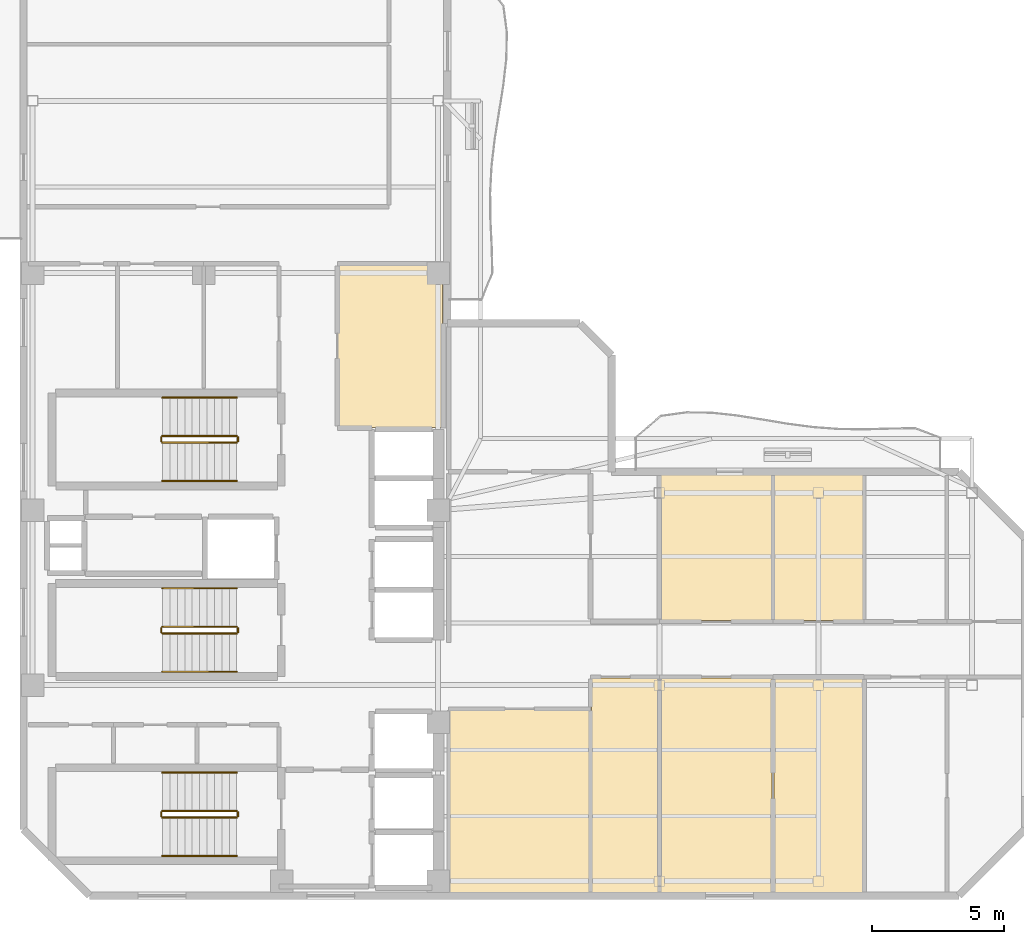
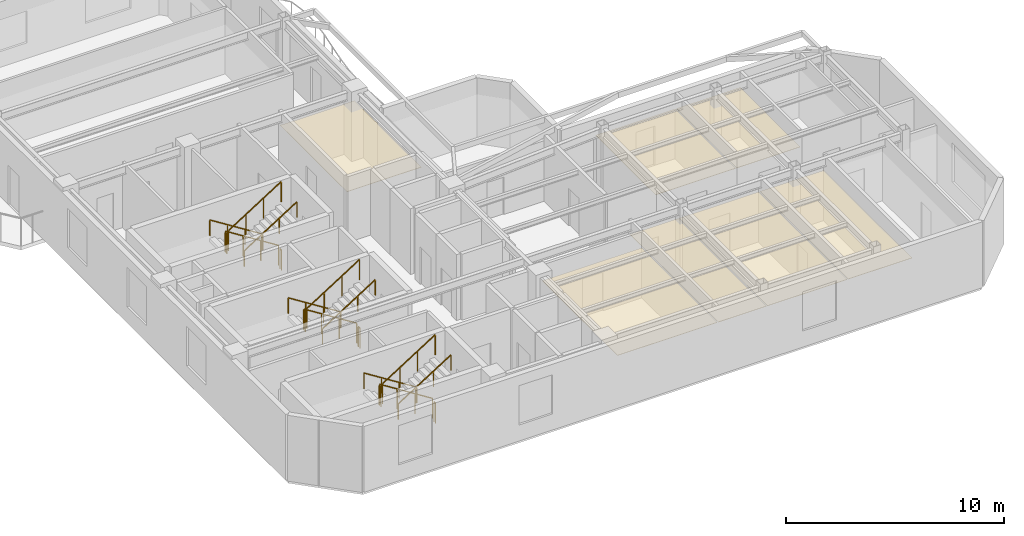
# One storey, part 6 of 7: 18 railings, 7 coverings.
"""IFC4 building model written with IfcOpenShell, lengths in metres."""

import ifcopenshell
import ifcopenshell.guid

model = None  # the IFC model being written
_history = None  # IfcOwnerHistory: only IFC2X3 demands one
_inside = {}  # id of a spatial element -> (the spatial element, [elements in it])
_under = {}  # id of a project, library or spatial element -> (it, [spatial elements below it])
_declared = {}  # id of a project -> (the project, [libraries it declares])
_typed = {}  # id of a type object -> (the type object, [elements of that type])
_made_of = {}  # id of a material, layer set ... -> (it, [elements and type objects made of it])


def new_model(schema):
    """Start an empty IFC model of exactly this schema.

    Asked for "IFC4X3", IfcOpenShell would pick the latest addendum, in which some entities
    have other attributes; the version numbers below select the first issue.
    IFC2X3 requires an IfcOwnerHistory on every rooted entity: one is made here for all.
    """
    global model, _history
    if schema == "IFC4X3":
        model = ifcopenshell.file(schema_version=(4, 3, 0, 0))
    else:
        model = ifcopenshell.file(schema=schema)
    _inside.clear()
    _under.clear()
    _declared.clear()
    _typed.clear()
    _made_of.clear()
    _history = None
    if model.schema == "IFC2X3":
        org = make("IfcOrganization", Name="unknown")
        user = make(
            "IfcPersonAndOrganization",
            ThePerson=make("IfcPerson", FamilyName="unknown"),
            TheOrganization=org,
        )
        app = make(
            "IfcApplication",
            ApplicationDeveloper=org,
            Version="unknown",
            ApplicationFullName="unknown",
            ApplicationIdentifier="unknown",
        )
        _history = make(
            "IfcOwnerHistory",
            OwningUser=user,
            OwningApplication=app,
            ChangeAction="ADDED",
            CreationDate=0,
        )
    return model


def make(cls, **values):
    """One entity of the class cls with the attributes given. An attribute that is None is left unset."""
    return model.create_entity(
        cls, **{name: value for name, value in values.items() if value is not None}
    )


def rooted(cls, **values):
    """An entity with a GlobalId (a new one), such as an element, a storey or a relation."""
    return make(cls, GlobalId=ifcopenshell.guid.new(), OwnerHistory=_history, **values)


def si_unit(unit_type, name, prefix=None):
    """IfcSIUnit, for example si_unit("LENGTHUNIT", "METRE", prefix="MILLI")."""
    return make("IfcSIUnit", UnitType=unit_type, Prefix=prefix, Name=name)


def assignment(units):
    """IfcUnitAssignment: the units of a project."""
    return None if units is None else make("IfcUnitAssignment", Units=units)


def point(xyz):
    """IfcCartesianPoint."""
    return None if xyz is None else make("IfcCartesianPoint", Coordinates=xyz)


def direction(xyz):
    """IfcDirection."""
    return None if xyz is None else make("IfcDirection", DirectionRatios=xyz)


def frame(location, z_axis=None, x_axis=None):
    """IfcAxis2Placement3D, a coordinate frame: its origin and axes. An axis left out is left unset."""
    return make(
        "IfcAxis2Placement3D",
        Location=point(location),
        Axis=direction(z_axis),
        RefDirection=direction(x_axis),
    )


def frame_2d(location, x_axis=None):
    """IfcAxis2Placement2D, a coordinate frame in the plane: its origin and x axis."""
    return make(
        "IfcAxis2Placement2D", Location=point(location), RefDirection=direction(x_axis)
    )


def origin():
    """The frame at (0, 0, 0) with its axes left unset."""
    return frame((0.0, 0.0, 0.0))


def origin_2d():
    """The frame at (0, 0) in the plane with its x axis left unset."""
    return frame_2d((0.0, 0.0))


def place(relative_to, where):
    """IfcLocalPlacement: puts the frame where relative to a parent placement (None: the world)."""
    return make(
        "IfcLocalPlacement", PlacementRelTo=relative_to, RelativePlacement=where
    )


def context(
    kind, dimensions, precision=None, world=None, true_north=None, identifier=None
):
    """IfcGeometricRepresentationContext, for example the 3D "Model" context."""
    return make(
        "IfcGeometricRepresentationContext",
        ContextIdentifier=identifier,
        ContextType=kind,
        CoordinateSpaceDimension=dimensions,
        Precision=precision,
        WorldCoordinateSystem=world,
        TrueNorth=true_north,
    )


def subcontext(parent, identifier, kind, view, scale=None):
    """IfcGeometricRepresentationSubContext, for example "Body" below "Model"."""
    return make(
        "IfcGeometricRepresentationSubContext",
        ContextIdentifier=identifier,
        ContextType=kind,
        ParentContext=parent,
        TargetScale=scale,
        TargetView=view,
    )


def project(units=None, contexts=None):
    """IfcProject with its units and contexts."""
    return rooted(
        "IfcProject",
        Name="project",
        RepresentationContexts=contexts,
        UnitsInContext=assignment(units),
    )


def spatial(cls, under=None, at=None, **own):
    """A site, building, storey or space (cls), placed at a placement, below another one or the project."""
    s = rooted(cls, ObjectPlacement=at, **own)
    if under is not None:
        _under.setdefault(under.id(), (under, []))[1].append(s)
    return s


def polyline(points):
    """IfcPolyline through the points."""
    return make("IfcPolyline", Points=[point(p) for p in points])


def profile(cls, at=None, kind="AREA", **sizes):
    """A parametric profile (cls). Its sizes go by their IFC names, for example OverallWidth=200.0."""
    return make(cls, ProfileType=kind, Position=at, **sizes)


def rectangle(**sizes):
    """IfcRectangleProfileDef."""
    return profile("IfcRectangleProfileDef", **sizes)


def outline(outer, holes=None, kind="AREA"):
    """IfcArbitraryClosedProfileDef: a profile drawn as a closed curve; with holes, ...WithVoids."""
    if holes is None:
        return make("IfcArbitraryClosedProfileDef", ProfileType=kind, OuterCurve=outer)
    return make(
        "IfcArbitraryProfileDefWithVoids",
        ProfileType=kind,
        OuterCurve=outer,
        InnerCurves=holes,
    )


def extrude(swept, where, along, depth):
    """IfcExtrudedAreaSolid: the profile swept, set in the frame where, extruded along a direction by depth."""
    return make(
        "IfcExtrudedAreaSolid",
        SweptArea=swept,
        Position=where,
        ExtrudedDirection=direction(along),
        Depth=depth,
    )


def shape(context_of_items, identifier, shape_type, items):
    """IfcShapeRepresentation: the items that make up one representation, for example the "Body"."""
    return make(
        "IfcShapeRepresentation",
        ContextOfItems=context_of_items,
        RepresentationIdentifier=identifier,
        RepresentationType=shape_type,
        Items=items,
    )


def material(Name=None, Category=None):
    """IfcMaterial."""
    return make("IfcMaterial", Name=Name, Category=Category)


def layer(
    of_material, thickness, ventilated=None, Name=None, Category=None, Priority=None
):
    """IfcMaterialLayer: one layer of a wall or slab, of a material (None: an air gap)."""
    return make(
        "IfcMaterialLayer",
        Material=of_material,
        LayerThickness=thickness,
        IsVentilated=ventilated,
        Name=Name,
        Category=Category,
        Priority=Priority,
    )


def layer_set(layers, Name=None):
    """IfcMaterialLayerSet."""
    return make("IfcMaterialLayerSet", MaterialLayers=layers, LayerSetName=Name)


def made_of(thing, what):
    """Note that an element or type object is made of a material, layer set ...; save() writes the relation."""
    if what is not None:
        _made_of.setdefault(what.id(), (what, []))[1].append(thing)
    return thing


def type_object(cls, material=None, **own):
    """A type object (cls), such as IfcWallType, which elements share."""
    return made_of(rooted(cls, **own), material)


def element(
    cls,
    number,
    at=None,
    inside=None,
    cuts=None,
    type_object=None,
    material=None,
    context=None,
    identifier="Body",
    shape_type=None,
    held_by="IfcProductDefinitionShape",
    body=None,
    shapes=None,
    **own,
):
    """One element of the class cls, such as IfcWall. Its Tag is "e" and its number.

    at: its placement. inside: the storey or other place that contains it. cuts: it is an
    opening in that element (IfcRelVoidsElement). A single representation is given by context,
    identifier, shape_type and body (its items); several are given by shapes. held_by: the class
    of the entity that holds the representations. save() writes the other relations.
    """
    e = rooted(cls, Tag="e%d" % number, ObjectPlacement=at, **own)
    if body is not None:
        shapes = [shape(context, identifier, shape_type, body)]
    if shapes is not None:
        e.Representation = make(held_by, Representations=shapes)
    if inside is not None:
        _inside.setdefault(inside.id(), (inside, []))[1].append(e)
    if cuts is not None:
        rooted(
            "IfcRelVoidsElement", RelatingBuildingElement=cuts, RelatedOpeningElement=e
        )
    if type_object is not None:
        _typed.setdefault(type_object.id(), (type_object, []))[1].append(e)
    return made_of(e, material)


def aggregate(whole, parts):
    """IfcRelAggregates: a whole, such as a stair, and the parts it consists of."""
    return rooted("IfcRelAggregates", RelatingObject=whole, RelatedObjects=parts)


def save(model, path):
    """Write the relations noted so far, then the file.

    IfcRelAggregates (storeys below a building ...), IfcRelContainedInSpatialStructure (elements
    in a storey), IfcRelDefinesByType, IfcRelAssociatesMaterial and IfcRelDeclares: one each for
    every whole, place, type object, material and project.
    """
    for whole, parts in _under.values():
        aggregate(whole, parts)
    for where, things in _inside.values():
        rooted(
            "IfcRelContainedInSpatialStructure",
            RelatedElements=things,
            RelatingStructure=where,
        )
    for kind, things in _typed.values():
        rooted("IfcRelDefinesByType", RelatedObjects=things, RelatingType=kind)
    for what, things in _made_of.values():
        rooted("IfcRelAssociatesMaterial", RelatedObjects=things, RelatingMaterial=what)
    for by, libraries in _declared.values():
        rooted("IfcRelDeclares", RelatingContext=by, RelatedDefinitions=libraries)
    model.write(path)


model = new_model("IFC4")

# Units and contexts
model_context = context("Model", 3, precision=1e-05, world=origin(), true_north=direction((0.0, 1.0)))
body_context = subcontext(model_context, "Body", "Model", "MODEL_VIEW")
ifc_project = project(units=[si_unit("LENGTHUNIT", "METRE"), si_unit("AREAUNIT", "SQUARE_METRE"), si_unit("VOLUMEUNIT", "CUBIC_METRE"), si_unit("PLANEANGLEUNIT", "RADIAN"), si_unit("MASSUNIT", "GRAM", prefix="KILO")], contexts=[model_context])

# Site, building, storey
site_placement = place(None, origin())
site = spatial("IfcSite", under=ifc_project, at=site_placement, CompositionType="ELEMENT")
building_placement = place(site_placement, origin())
building = spatial("IfcBuilding", under=site, at=building_placement, Name="Mawjaban Terraces University", CompositionType="ELEMENT")
storey_placement = place(building_placement, frame((0.0, 0.0, 283.300048828125)))
storey = spatial("IfcBuildingStorey", under=building, at=storey_placement, Name="L69", CompositionType="ELEMENT", Elevation=283.300048828125)

# Coverings
ifc_material_1 = material(Name="Acoustic mineral fibre ceiling tile", Category="masonry")
ifc_layer = layer(ifc_material_1, 0.02001953125)
ifc_layer_set = layer_set([ifc_layer], Name="Acoustic mineral fibre ceiling tile")
covering_type = type_object("IfcCoveringType", Name="AcousticMineralCeiling_20", PredefinedType="CEILING", material=ifc_layer_set)
covering_1_placement = place(storey_placement, frame((0.0, 0.0, 2.75)))
element("IfcCovering", 1, at=covering_1_placement, inside=storey, type_object=covering_type, Name="L69 Graduate Research Collaboration Studio Acoustic Ceiling", PredefinedType="CEILING", context=body_context, shape_type="SweptSolid", body=[
    extrude(outline(polyline([(37.820068359375, 17.679931640625), (37.820068359375, 23.820068359375), (33.8798828125, 23.820068359375), (33.8798828125, 17.679931640625), (37.820068359375, 17.679931640625)])), origin(), (0.0, 0.0, 1.0), 0.02001953125),
])
covering_2_placement = place(storey_placement, frame((0.0, 0.0, 2.75)))
element("IfcCovering", 2, at=covering_2_placement, inside=storey, type_object=covering_type, Name="L69 Computational Laboratory 1 Acoustic Ceiling", PredefinedType="CEILING", context=body_context, shape_type="SweptSolid", body=[
    extrude(outline(polyline([(38.080078125, 7.02001953125), (38.080078125, 0.114990234375), (43.3701171875, 0.114990234375), (43.3701171875, 7.02001953125), (38.080078125, 7.02001953125)])), origin(), (0.0, 0.0, 1.0), 0.02001953125),
])
covering_3_placement = place(storey_placement, frame((0.0, 0.0, 2.75)))
element("IfcCovering", 3, at=covering_3_placement, inside=storey, type_object=covering_type, Name="L69 Teaching Laboratory 2 Acoustic Ceiling", PredefinedType="CEILING", context=body_context, shape_type="SweptSolid", body=[
    extrude(outline(polyline([(43.429931640625, 0.114990234375), (45.969970703125, 0.114990234375), (45.969970703125, 8.219970703125), (43.429931640625, 8.219970703125), (43.429931640625, 0.114990234375)])), origin(), (0.0, 0.0, 1.0), 0.02001953125),
])
covering_4_placement = place(storey_placement, frame((0.0, 0.0, 2.75)))
element("IfcCovering", 4, at=covering_4_placement, inside=storey, type_object=covering_type, Name="L69 Computational Laboratory 4 Acoustic Ceiling", PredefinedType="CEILING", context=body_context, shape_type="SweptSolid", body=[
    extrude(outline(polyline([(46.030029296875, 0.114990234375), (50.258056640625, 0.114990234375), (50.258056640625, 8.219970703125), (46.030029296875, 8.219970703125), (46.030029296875, 0.114990234375)])), origin(), (0.0, 0.0, 1.0), 0.02001953125),
])
covering_5_placement = place(storey_placement, frame((0.0, 0.0, 2.75)))
element("IfcCovering", 5, at=covering_5_placement, inside=storey, type_object=covering_type, Name="L69 Teaching Laboratory 5 Acoustic Ceiling", PredefinedType="CEILING", context=body_context, shape_type="SweptSolid", body=[
    extrude(outline(polyline([(50.258056640625, 15.885009765625), (46.030029296875, 15.885009765625), (46.030029296875, 10.3798828125), (50.258056640625, 10.3798828125), (50.258056640625, 15.885009765625)])), origin(), (0.0, 0.0, 1.0), 0.02001953125),
])
covering_6_placement = place(storey_placement, frame((0.0, 0.0, 2.75)))
element("IfcCovering", 6, at=covering_6_placement, inside=storey, type_object=covering_type, Name="L69 Design Studio 6 Acoustic Ceiling", PredefinedType="CEILING", context=body_context, shape_type="SweptSolid", body=[
    extrude(outline(polyline([(50.318115234375, 0.114990234375), (53.701904296875, 0.114990234375), (53.701904296875, 8.219970703125), (50.318115234375, 8.219970703125), (50.318115234375, 0.114990234375)])), origin(), (0.0, 0.0, 1.0), 0.02001953125),
])
covering_7_placement = place(storey_placement, frame((0.0, 0.0, 2.75)))
element("IfcCovering", 7, at=covering_7_placement, inside=storey, type_object=covering_type, Name="L69 Computational Laboratory 7 Acoustic Ceiling", PredefinedType="CEILING", context=body_context, shape_type="SweptSolid", body=[
    extrude(outline(polyline([(53.701904296875, 15.885009765625), (50.318115234375, 15.885009765625), (50.318115234375, 10.3798828125), (53.701904296875, 10.3798828125), (53.701904296875, 15.885009765625)])), origin(), (0.0, 0.0, 1.0), 0.02001953125),
])

# Railings
ifc_material_2 = material(Name="Brushed stainless steel 316", Category="steel")
railing_type_1 = type_object("IfcRailingType", Name="StairWallHandrail_900", PredefinedType="HANDRAIL", material=ifc_material_2)
railing_1_placement = place(storey_placement, frame((30.050048828125, 4.64990234375, 0.17724609375)))
element("IfcRailing", 8, at=railing_1_placement, inside=storey, type_object=railing_type_1, Name="L69 ST-1 stair handrail 1", PredefinedType="HANDRAIL", context=body_context, shape_type="SweptSolid", body=[
    extrude(rectangle(XDim=0.048095703125, YDim=0.048095703125, at=origin_2d()), frame((0.0, 0.0, 0.8759765625), z_axis=(-0.844908973607, 0.0, 0.534910110503), x_axis=(0.0, -1.0, 0.0)), (0.0, 0.0, 1.0), 3.31396484375),
    extrude(rectangle(XDim=0.0419921875, YDim=0.0419921875, at=origin_2d()), origin(), (0.0, 0.0, 1.0), 0.851806640625),
    extrude(rectangle(XDim=0.0419921875, YDim=0.0419921875, at=origin_2d()), frame((-0.933349609375, 0.0, 0.5908203125)), (0.0, 0.0, 1.0), 0.851806640625),
    extrude(rectangle(XDim=0.0419921875, YDim=0.0419921875, at=origin_2d()), frame((-1.86669921875, 0.0, 1.181884765625)), (0.0, 0.0, 1.0), 0.851806640625),
    extrude(rectangle(XDim=0.0419921875, YDim=0.0419921875, at=origin_2d()), frame((-2.800048828125, 0.0, 1.772705078125)), (0.0, 0.0, 1.0), 0.851806640625),
])
railing_2_placement = place(storey_placement, frame((27.25, 1.5, 2.127197265625)))
element("IfcRailing", 9, at=railing_2_placement, inside=storey, type_object=railing_type_1, Name="L69 ST-1 stair handrail 2", PredefinedType="HANDRAIL", context=body_context, shape_type="SweptSolid", body=[
    extrude(rectangle(XDim=0.048095703125, YDim=0.048095703125, at=origin_2d()), frame((0.0, 0.0, 0.8759765625), z_axis=(0.844908973607, 0.0, 0.534910110503), x_axis=(0.0, 1.0, 0.0)), (0.0, 0.0, 1.0), 3.31396484375),
    extrude(rectangle(XDim=0.0419921875, YDim=0.0419921875, at=origin_2d()), origin(), (0.0, 0.0, 1.0), 0.851806640625),
    extrude(rectangle(XDim=0.0419921875, YDim=0.0419921875, at=origin_2d()), frame((0.933349609375, 0.0, 0.5908203125)), (0.0, 0.0, 1.0), 0.851806640625),
    extrude(rectangle(XDim=0.0419921875, YDim=0.0419921875, at=origin_2d()), frame((1.86669921875, 0.0, 1.181884765625)), (0.0, 0.0, 1.0), 0.851806640625),
    extrude(rectangle(XDim=0.0419921875, YDim=0.0419921875, at=origin_2d()), frame((2.800048828125, 0.0, 1.772705078125)), (0.0, 0.0, 1.0), 0.851806640625),
])
railing_3_placement = place(storey_placement, frame((30.050048828125, 18.800048828125, 0.17724609375)))
element("IfcRailing", 10, at=railing_3_placement, inside=storey, type_object=railing_type_1, Name="L69 ST-2 stair handrail 1", PredefinedType="HANDRAIL", context=body_context, shape_type="SweptSolid", body=[
    extrude(rectangle(XDim=0.048095703125, YDim=0.048095703125, at=origin_2d()), frame((0.0, 0.0, 0.8759765625), z_axis=(-0.844908973607, 0.0, 0.534910110503), x_axis=(0.0, -1.0, 0.0)), (0.0, 0.0, 1.0), 3.31396484375),
    extrude(rectangle(XDim=0.0419921875, YDim=0.0419921875, at=origin_2d()), origin(), (0.0, 0.0, 1.0), 0.851806640625),
    extrude(rectangle(XDim=0.0419921875, YDim=0.0419921875, at=origin_2d()), frame((-0.933349609375, 0.0, 0.5908203125)), (0.0, 0.0, 1.0), 0.851806640625),
    extrude(rectangle(XDim=0.0419921875, YDim=0.0419921875, at=origin_2d()), frame((-1.86669921875, 0.0, 1.181884765625)), (0.0, 0.0, 1.0), 0.851806640625),
    extrude(rectangle(XDim=0.0419921875, YDim=0.0419921875, at=origin_2d()), frame((-2.800048828125, 0.0, 1.772705078125)), (0.0, 0.0, 1.0), 0.851806640625),
])
railing_4_placement = place(storey_placement, frame((27.25, 15.64990234375, 2.127197265625)))
element("IfcRailing", 11, at=railing_4_placement, inside=storey, type_object=railing_type_1, Name="L69 ST-2 stair handrail 2", PredefinedType="HANDRAIL", context=body_context, shape_type="SweptSolid", body=[
    extrude(rectangle(XDim=0.048095703125, YDim=0.048095703125, at=origin_2d()), frame((0.0, 0.0, 0.8759765625), z_axis=(0.844908973607, 0.0, 0.534910110503), x_axis=(0.0, 1.0, 0.0)), (0.0, 0.0, 1.0), 3.31396484375),
    extrude(rectangle(XDim=0.0419921875, YDim=0.0419921875, at=origin_2d()), origin(), (0.0, 0.0, 1.0), 0.851806640625),
    extrude(rectangle(XDim=0.0419921875, YDim=0.0419921875, at=origin_2d()), frame((0.933349609375, 0.0, 0.5908203125)), (0.0, 0.0, 1.0), 0.851806640625),
    extrude(rectangle(XDim=0.0419921875, YDim=0.0419921875, at=origin_2d()), frame((1.86669921875, 0.0, 1.181884765625)), (0.0, 0.0, 1.0), 0.851806640625),
    extrude(rectangle(XDim=0.0419921875, YDim=0.0419921875, at=origin_2d()), frame((2.800048828125, 0.0, 1.772705078125)), (0.0, 0.0, 1.0), 0.851806640625),
])
railing_5_placement = place(storey_placement, frame((30.050048828125, 11.60009765625, 0.17724609375)))
element("IfcRailing", 12, at=railing_5_placement, inside=storey, type_object=railing_type_1, Name="L69 ST-3 stair handrail 1", PredefinedType="HANDRAIL", context=body_context, shape_type="SweptSolid", body=[
    extrude(rectangle(XDim=0.048095703125, YDim=0.048095703125, at=origin_2d()), frame((0.0, 0.0, 0.8759765625), z_axis=(-0.844908973607, 0.0, 0.534910110503), x_axis=(0.0, -1.0, 0.0)), (0.0, 0.0, 1.0), 3.31396484375),
    extrude(rectangle(XDim=0.0419921875, YDim=0.0419921875, at=origin_2d()), origin(), (0.0, 0.0, 1.0), 0.851806640625),
    extrude(rectangle(XDim=0.0419921875, YDim=0.0419921875, at=origin_2d()), frame((-0.933349609375, 0.0, 0.5908203125)), (0.0, 0.0, 1.0), 0.851806640625),
    extrude(rectangle(XDim=0.0419921875, YDim=0.0419921875, at=origin_2d()), frame((-1.86669921875, 0.0, 1.181884765625)), (0.0, 0.0, 1.0), 0.851806640625),
    extrude(rectangle(XDim=0.0419921875, YDim=0.0419921875, at=origin_2d()), frame((-2.800048828125, 0.0, 1.772705078125)), (0.0, 0.0, 1.0), 0.851806640625),
])
railing_6_placement = place(storey_placement, frame((27.25, 8.449951171875, 2.127197265625)))
element("IfcRailing", 13, at=railing_6_placement, inside=storey, type_object=railing_type_1, Name="L69 ST-3 stair handrail 2", PredefinedType="HANDRAIL", context=body_context, shape_type="SweptSolid", body=[
    extrude(rectangle(XDim=0.048095703125, YDim=0.048095703125, at=origin_2d()), frame((0.0, 0.0, 0.8759765625), z_axis=(0.844908973607, 0.0, 0.534910110503), x_axis=(0.0, 1.0, 0.0)), (0.0, 0.0, 1.0), 3.31396484375),
    extrude(rectangle(XDim=0.0419921875, YDim=0.0419921875, at=origin_2d()), origin(), (0.0, 0.0, 1.0), 0.851806640625),
    extrude(rectangle(XDim=0.0419921875, YDim=0.0419921875, at=origin_2d()), frame((0.933349609375, 0.0, 0.5908203125)), (0.0, 0.0, 1.0), 0.851806640625),
    extrude(rectangle(XDim=0.0419921875, YDim=0.0419921875, at=origin_2d()), frame((1.86669921875, 0.0, 1.181884765625)), (0.0, 0.0, 1.0), 0.851806640625),
    extrude(rectangle(XDim=0.0419921875, YDim=0.0419921875, at=origin_2d()), frame((2.800048828125, 0.0, 1.772705078125)), (0.0, 0.0, 1.0), 0.851806640625),
])
ifc_material_3 = material(Name="Galvanised painted steel S355", Category="steel")
railing_type_2 = type_object("IfcRailingType", Name="StairWellGuard_1150", PredefinedType="BALUSTRADE", material=ifc_material_3)
railing_7_placement = place(storey_placement, frame((30.050048828125, 3.199951171875, 0.17724609375)))
element("IfcRailing", 14, at=railing_7_placement, inside=storey, type_object=railing_type_2, Name="L69 ST-1 stair guard 1", PredefinedType="BALUSTRADE", context=body_context, shape_type="SweptSolid", body=[
    extrude(rectangle(XDim=0.048095703125, YDim=0.048095703125, at=origin_2d()), frame((0.0, 0.0, 1.1259765625), z_axis=(-0.844908973607, 0.0, 0.534910110503), x_axis=(0.0, -1.0, 0.0)), (0.0, 0.0, 1.0), 3.31396484375),
    extrude(rectangle(XDim=0.0419921875, YDim=0.0419921875, at=origin_2d()), origin(), (0.0, 0.0, 1.0), 1.101806640625),
    extrude(rectangle(XDim=0.0419921875, YDim=0.0419921875, at=origin_2d()), frame((-0.933349609375, 0.0, 0.5908203125)), (0.0, 0.0, 1.0), 1.101806640625),
    extrude(rectangle(XDim=0.0419921875, YDim=0.0419921875, at=origin_2d()), frame((-1.86669921875, 0.0, 1.181884765625)), (0.0, 0.0, 1.0), 1.101806640625),
    extrude(rectangle(XDim=0.0419921875, YDim=0.0419921875, at=origin_2d()), frame((-2.800048828125, 0.0, 1.772705078125)), (0.0, 0.0, 1.0), 1.101806640625),
])
railing_8_placement = place(storey_placement, frame((27.199951171875, 3.14990234375, 1.949951171875)))
element("IfcRailing", 15, at=railing_8_placement, inside=storey, type_object=railing_type_2, Name="L69 ST-1 stair guard 2", PredefinedType="BALUSTRADE", context=body_context, shape_type="SweptSolid", body=[
    extrude(rectangle(XDim=0.048095703125, YDim=0.048095703125, at=origin_2d()), frame((0.0, 0.0, 1.1259765625), z_axis=(0.0, -1.0, 0.0), x_axis=(1.0, 0.0, 0.0)), (0.0, 0.0, 1.0), 0.14990234375),
    extrude(rectangle(XDim=0.0419921875, YDim=0.0419921875, at=origin_2d()), origin(), (0.0, 0.0, 1.0), 1.101806640625),
    extrude(rectangle(XDim=0.0419921875, YDim=0.0419921875, at=origin_2d()), frame((0.0, -0.14990234375, 0.0)), (0.0, 0.0, 1.0), 1.101806640625),
])
railing_9_placement = place(storey_placement, frame((27.25, 2.949951171875, 2.127197265625)))
element("IfcRailing", 16, at=railing_9_placement, inside=storey, type_object=railing_type_2, Name="L69 ST-1 stair guard 3", PredefinedType="BALUSTRADE", context=body_context, shape_type="SweptSolid", body=[
    extrude(rectangle(XDim=0.048095703125, YDim=0.048095703125, at=origin_2d()), frame((0.0, 0.0, 1.1259765625), z_axis=(0.844908973607, 0.0, 0.534910110503), x_axis=(0.0, 1.0, 0.0)), (0.0, 0.0, 1.0), 3.31396484375),
    extrude(rectangle(XDim=0.0419921875, YDim=0.0419921875, at=origin_2d()), origin(), (0.0, 0.0, 1.0), 1.101806640625),
    extrude(rectangle(XDim=0.0419921875, YDim=0.0419921875, at=origin_2d()), frame((0.933349609375, 0.0, 0.5908203125)), (0.0, 0.0, 1.0), 1.101806640625),
    extrude(rectangle(XDim=0.0419921875, YDim=0.0419921875, at=origin_2d()), frame((1.86669921875, 0.0, 1.181884765625)), (0.0, 0.0, 1.0), 1.101806640625),
    extrude(rectangle(XDim=0.0419921875, YDim=0.0419921875, at=origin_2d()), frame((2.800048828125, 0.0, 1.772705078125)), (0.0, 0.0, 1.0), 1.101806640625),
])
railing_10_placement = place(storey_placement, frame((30.10009765625, 3.14990234375, 0.0)))
element("IfcRailing", 17, at=railing_10_placement, inside=storey, type_object=railing_type_2, Name="L69 ST-1 stair guard 4", PredefinedType="BALUSTRADE", context=body_context, shape_type="SweptSolid", body=[
    extrude(rectangle(XDim=0.048095703125, YDim=0.048095703125, at=origin_2d()), frame((0.0, 0.0, 1.1259765625), z_axis=(0.0, -1.0, 0.0), x_axis=(1.0, 0.0, 0.0)), (0.0, 0.0, 1.0), 0.14990234375),
    extrude(rectangle(XDim=0.0419921875, YDim=0.0419921875, at=origin_2d()), origin(), (0.0, 0.0, 1.0), 1.101806640625),
    extrude(rectangle(XDim=0.0419921875, YDim=0.0419921875, at=origin_2d()), frame((0.0, -0.14990234375, 0.0)), (0.0, 0.0, 1.0), 1.101806640625),
])
railing_11_placement = place(storey_placement, frame((30.050048828125, 17.35009765625, 0.17724609375)))
element("IfcRailing", 18, at=railing_11_placement, inside=storey, type_object=railing_type_2, Name="L69 ST-2 stair guard 1", PredefinedType="BALUSTRADE", context=body_context, shape_type="SweptSolid", body=[
    extrude(rectangle(XDim=0.048095703125, YDim=0.048095703125, at=origin_2d()), frame((0.0, 0.0, 1.1259765625), z_axis=(-0.844908973607, 0.0, 0.534910110503), x_axis=(0.0, -1.0, 0.0)), (0.0, 0.0, 1.0), 3.31396484375),
    extrude(rectangle(XDim=0.0419921875, YDim=0.0419921875, at=origin_2d()), origin(), (0.0, 0.0, 1.0), 1.101806640625),
    extrude(rectangle(XDim=0.0419921875, YDim=0.0419921875, at=origin_2d()), frame((-0.933349609375, 0.0, 0.5908203125)), (0.0, 0.0, 1.0), 1.101806640625),
    extrude(rectangle(XDim=0.0419921875, YDim=0.0419921875, at=origin_2d()), frame((-1.86669921875, 0.0, 1.181884765625)), (0.0, 0.0, 1.0), 1.101806640625),
    extrude(rectangle(XDim=0.0419921875, YDim=0.0419921875, at=origin_2d()), frame((-2.800048828125, 0.0, 1.772705078125)), (0.0, 0.0, 1.0), 1.101806640625),
])
railing_12_placement = place(storey_placement, frame((27.199951171875, 17.300048828125, 1.949951171875)))
element("IfcRailing", 19, at=railing_12_placement, inside=storey, type_object=railing_type_2, Name="L69 ST-2 stair guard 2", PredefinedType="BALUSTRADE", context=body_context, shape_type="SweptSolid", body=[
    extrude(rectangle(XDim=0.048095703125, YDim=0.048095703125, at=origin_2d()), frame((0.0, 0.0, 1.1259765625), z_axis=(0.0, -1.0, 0.0), x_axis=(1.0, 0.0, 0.0)), (0.0, 0.0, 1.0), 0.150146484375),
    extrude(rectangle(XDim=0.0419921875, YDim=0.0419921875, at=origin_2d()), origin(), (0.0, 0.0, 1.0), 1.101806640625),
    extrude(rectangle(XDim=0.0419921875, YDim=0.0419921875, at=origin_2d()), frame((0.0, -0.150146484375, 0.0)), (0.0, 0.0, 1.0), 1.101806640625),
])
railing_13_placement = place(storey_placement, frame((27.25, 17.10009765625, 2.127197265625)))
element("IfcRailing", 20, at=railing_13_placement, inside=storey, type_object=railing_type_2, Name="L69 ST-2 stair guard 3", PredefinedType="BALUSTRADE", context=body_context, shape_type="SweptSolid", body=[
    extrude(rectangle(XDim=0.048095703125, YDim=0.048095703125, at=origin_2d()), frame((0.0, 0.0, 1.1259765625), z_axis=(0.844908973607, 0.0, 0.534910110503), x_axis=(0.0, 1.0, 0.0)), (0.0, 0.0, 1.0), 3.31396484375),
    extrude(rectangle(XDim=0.0419921875, YDim=0.0419921875, at=origin_2d()), origin(), (0.0, 0.0, 1.0), 1.101806640625),
    extrude(rectangle(XDim=0.0419921875, YDim=0.0419921875, at=origin_2d()), frame((0.933349609375, 0.0, 0.5908203125)), (0.0, 0.0, 1.0), 1.101806640625),
    extrude(rectangle(XDim=0.0419921875, YDim=0.0419921875, at=origin_2d()), frame((1.86669921875, 0.0, 1.181884765625)), (0.0, 0.0, 1.0), 1.101806640625),
    extrude(rectangle(XDim=0.0419921875, YDim=0.0419921875, at=origin_2d()), frame((2.800048828125, 0.0, 1.772705078125)), (0.0, 0.0, 1.0), 1.101806640625),
])
railing_14_placement = place(storey_placement, frame((30.10009765625, 17.300048828125, 0.0)))
element("IfcRailing", 21, at=railing_14_placement, inside=storey, type_object=railing_type_2, Name="L69 ST-2 stair guard 4", PredefinedType="BALUSTRADE", context=body_context, shape_type="SweptSolid", body=[
    extrude(rectangle(XDim=0.048095703125, YDim=0.048095703125, at=origin_2d()), frame((0.0, 0.0, 1.1259765625), z_axis=(0.0, -1.0, 0.0), x_axis=(1.0, 0.0, 0.0)), (0.0, 0.0, 1.0), 0.150146484375),
    extrude(rectangle(XDim=0.0419921875, YDim=0.0419921875, at=origin_2d()), origin(), (0.0, 0.0, 1.0), 1.101806640625),
    extrude(rectangle(XDim=0.0419921875, YDim=0.0419921875, at=origin_2d()), frame((0.0, -0.150146484375, 0.0)), (0.0, 0.0, 1.0), 1.101806640625),
])
railing_15_placement = place(storey_placement, frame((30.050048828125, 10.14990234375, 0.17724609375)))
element("IfcRailing", 22, at=railing_15_placement, inside=storey, type_object=railing_type_2, Name="L69 ST-3 stair guard 1", PredefinedType="BALUSTRADE", context=body_context, shape_type="SweptSolid", body=[
    extrude(rectangle(XDim=0.048095703125, YDim=0.048095703125, at=origin_2d()), frame((0.0, 0.0, 1.1259765625), z_axis=(-0.844908973607, 0.0, 0.534910110503), x_axis=(0.0, -1.0, 0.0)), (0.0, 0.0, 1.0), 3.31396484375),
    extrude(rectangle(XDim=0.0419921875, YDim=0.0419921875, at=origin_2d()), origin(), (0.0, 0.0, 1.0), 1.101806640625),
    extrude(rectangle(XDim=0.0419921875, YDim=0.0419921875, at=origin_2d()), frame((-0.933349609375, 0.0, 0.5908203125)), (0.0, 0.0, 1.0), 1.101806640625),
    extrude(rectangle(XDim=0.0419921875, YDim=0.0419921875, at=origin_2d()), frame((-1.86669921875, 0.0, 1.181884765625)), (0.0, 0.0, 1.0), 1.101806640625),
    extrude(rectangle(XDim=0.0419921875, YDim=0.0419921875, at=origin_2d()), frame((-2.800048828125, 0.0, 1.772705078125)), (0.0, 0.0, 1.0), 1.101806640625),
])
railing_16_placement = place(storey_placement, frame((27.199951171875, 10.10009765625, 1.949951171875)))
element("IfcRailing", 23, at=railing_16_placement, inside=storey, type_object=railing_type_2, Name="L69 ST-3 stair guard 2", PredefinedType="BALUSTRADE", context=body_context, shape_type="SweptSolid", body=[
    extrude(rectangle(XDim=0.048095703125, YDim=0.048095703125, at=origin_2d()), frame((0.0, 0.0, 1.1259765625), z_axis=(0.0, -1.0, 0.0), x_axis=(1.0, 0.0, 0.0)), (0.0, 0.0, 1.0), 0.150146484375),
    extrude(rectangle(XDim=0.0419921875, YDim=0.0419921875, at=origin_2d()), origin(), (0.0, 0.0, 1.0), 1.101806640625),
    extrude(rectangle(XDim=0.0419921875, YDim=0.0419921875, at=origin_2d()), frame((0.0, -0.150146484375, 0.0)), (0.0, 0.0, 1.0), 1.101806640625),
])
railing_17_placement = place(storey_placement, frame((27.25, 9.89990234375, 2.127197265625)))
element("IfcRailing", 24, at=railing_17_placement, inside=storey, type_object=railing_type_2, Name="L69 ST-3 stair guard 3", PredefinedType="BALUSTRADE", context=body_context, shape_type="SweptSolid", body=[
    extrude(rectangle(XDim=0.048095703125, YDim=0.048095703125, at=origin_2d()), frame((0.0, 0.0, 1.1259765625), z_axis=(0.844908973607, 0.0, 0.534910110503), x_axis=(0.0, 1.0, 0.0)), (0.0, 0.0, 1.0), 3.31396484375),
    extrude(rectangle(XDim=0.0419921875, YDim=0.0419921875, at=origin_2d()), origin(), (0.0, 0.0, 1.0), 1.101806640625),
    extrude(rectangle(XDim=0.0419921875, YDim=0.0419921875, at=origin_2d()), frame((0.933349609375, 0.0, 0.5908203125)), (0.0, 0.0, 1.0), 1.101806640625),
    extrude(rectangle(XDim=0.0419921875, YDim=0.0419921875, at=origin_2d()), frame((1.86669921875, 0.0, 1.181884765625)), (0.0, 0.0, 1.0), 1.101806640625),
    extrude(rectangle(XDim=0.0419921875, YDim=0.0419921875, at=origin_2d()), frame((2.800048828125, 0.0, 1.772705078125)), (0.0, 0.0, 1.0), 1.101806640625),
])
railing_18_placement = place(storey_placement, frame((30.10009765625, 10.10009765625, 0.0)))
element("IfcRailing", 25, at=railing_18_placement, inside=storey, type_object=railing_type_2, Name="L69 ST-3 stair guard 4", PredefinedType="BALUSTRADE", context=body_context, shape_type="SweptSolid", body=[
    extrude(rectangle(XDim=0.048095703125, YDim=0.048095703125, at=origin_2d()), frame((0.0, 0.0, 1.1259765625), z_axis=(0.0, -1.0, 0.0), x_axis=(1.0, 0.0, 0.0)), (0.0, 0.0, 1.0), 0.150146484375),
    extrude(rectangle(XDim=0.0419921875, YDim=0.0419921875, at=origin_2d()), origin(), (0.0, 0.0, 1.0), 1.101806640625),
    extrude(rectangle(XDim=0.0419921875, YDim=0.0419921875, at=origin_2d()), frame((0.0, -0.150146484375, 0.0)), (0.0, 0.0, 1.0), 1.101806640625),
])

save(model, "model.ifc")
